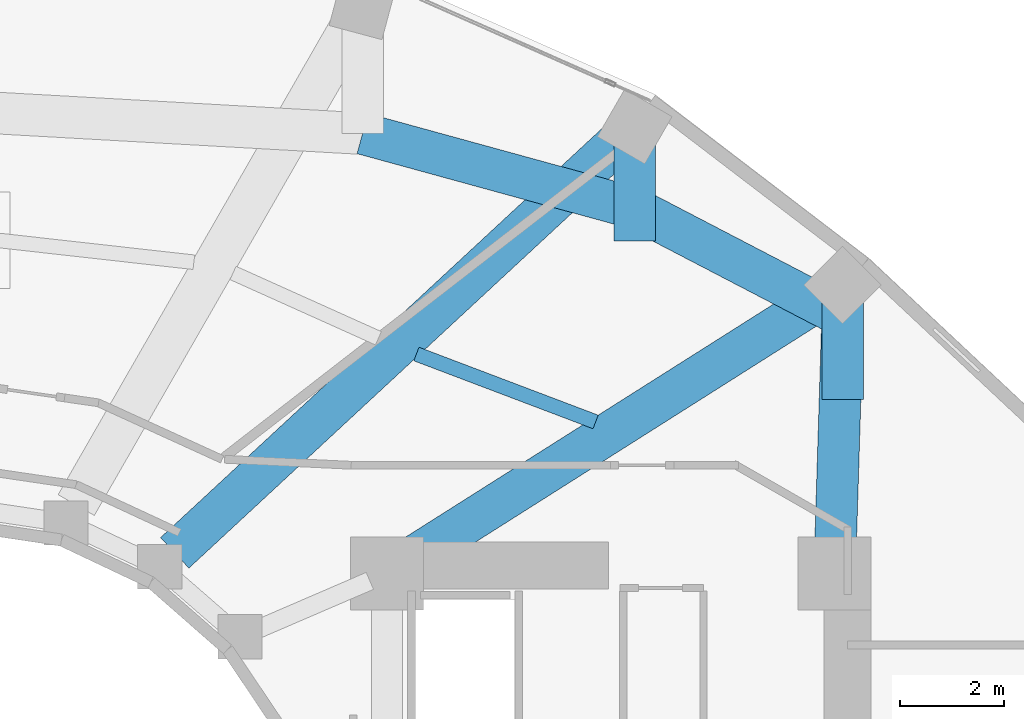
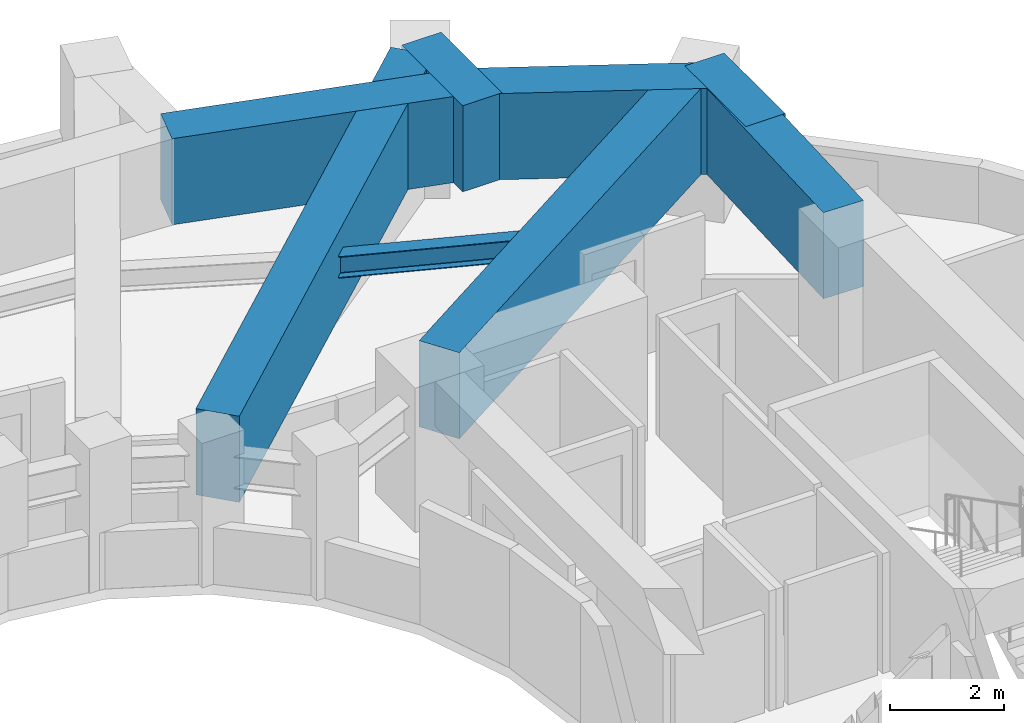
# One storey, part 5 of 16: 8 beams.
"""IFC4 building model written with IfcOpenShell, lengths in metres."""

from ifc_helpers import new_model, si_unit, direction, frame, origin, origin_2d, place, context, subcontext, project, spatial, rectangle, i_section, extrude, material, material_profile, profile_set, type_object, element, save


model = new_model("IFC4")

# Units and contexts
model_context = context("Model", 3, precision=1e-05, world=origin(), true_north=direction((0.0, 1.0)))
body_context = subcontext(model_context, "Body", "Model", "MODEL_VIEW")
ifc_project = project(units=[si_unit("LENGTHUNIT", "METRE"), si_unit("AREAUNIT", "SQUARE_METRE"), si_unit("VOLUMEUNIT", "CUBIC_METRE"), si_unit("PLANEANGLEUNIT", "RADIAN"), si_unit("MASSUNIT", "GRAM", prefix="KILO")], contexts=[model_context])

# Site, building, storey
site_placement = place(None, origin())
site = spatial("IfcSite", under=ifc_project, at=site_placement, CompositionType="ELEMENT")
building_placement = place(site_placement, origin())
building = spatial("IfcBuilding", under=site, at=building_placement, Name="Solvane Sanctuary Tower", CompositionType="ELEMENT")
storey_placement = place(building_placement, frame((0.0, 0.0, 82.5)))
storey = spatial("IfcBuildingStorey", under=building, at=storey_placement, Name="L24", CompositionType="ELEMENT", Elevation=82.5)

# Beams
ifc_material_1 = material(Name="Steel ASTM A992 Grade 50", Category="steel")
ifc_material_profile_1 = material_profile(ifc_material_1, i_section(OverallWidth=0.280029296875, OverallDepth=0.462890625, WebThickness=0.0107421875, FlangeThickness=0.017333984375, FilletRadius=0.013916015625, at=origin_2d()), Name="W18X76")
ifc_profile_set_1 = profile_set([ifc_material_profile_1], Name="Steel ASTM A992 Grade 50")
beam_type_1 = type_object("IfcBeamType", Name="Beam B-SEC-JOIST W18X76", PredefinedType="JOIST", material=ifc_profile_set_1)
beam_1_placement = place(storey_placement, frame((40.66357421875, 34.41650390625, 2.366455078125), z_axis=(0.935089219038, -0.354412404465, 0.0), x_axis=(0.354412404465, 0.935089219038, 0.0)))
element("IfcBeam", 1, at=beam_1_placement, inside=storey, type_object=beam_type_1, Name="L24 Secondary Circumferential Joist 02-01", PredefinedType="JOIST", context=body_context, shape_type="SweptSolid", body=[
    extrude(i_section(OverallWidth=0.280029296875, OverallDepth=0.462890625, WebThickness=0.0107421875, FlangeThickness=0.017333984375, FilletRadius=0.013916015625, at=origin_2d()), origin(), (0.0, 0.0, 1.0), 3.6826171875),
])
ifc_material_2 = material(Name="Concrete C70/85", Category="concrete")
ifc_material_profile_2 = material_profile(ifc_material_2, rectangle(XDim=0.800048828125, YDim=1.85009765625, at=origin_2d()), Name="RC800X1850")
ifc_profile_set_2 = profile_set([ifc_material_profile_2], Name="Concrete C70/85")
beam_type_2 = type_object("IfcBeamType", Name="Beam B-XFER-BLK RC800X1850", PredefinedType="BEAM", material=ifc_profile_set_2)
beam_2_placement = place(storey_placement, frame((40.404052734375, 30.392578125, 2.175048828125), z_axis=(0.844858725229, 0.534989471303, 0.0), x_axis=(-0.534989471303, 0.844858725229, 0.0)))
element("IfcBeam", 2, at=beam_2_placement, inside=storey, type_object=beam_type_2, Name="L24 Block-Shift Radial Transfer Girder 01A", PredefinedType="BEAM", context=body_context, shape_type="SweptSolid", body=[
    extrude(rectangle(XDim=0.800048828125, YDim=1.85009765625, at=origin_2d()), origin(), (0.0, 0.0, 1.0), 9.555419921875),
])
beam_3_placement = place(storey_placement, frame((48.85302734375, 35.69287109375, 2.175048828125), z_axis=(0.0, -1.0, 0.0), x_axis=(1.0, 0.0, 0.0)))
element("IfcBeam", 3, at=beam_3_placement, inside=storey, type_object=beam_type_2, Name="L24 Block-Shift Transfer Tie 01B", PredefinedType="BEAM", context=body_context, shape_type="SweptSolid", body=[
    extrude(rectangle(XDim=0.800048828125, YDim=1.85009765625, at=origin_2d()), origin(), (0.0, 0.0, 1.0), 2.150146484375),
])
beam_4_placement = place(storey_placement, frame((36.019775390625, 30.59521484375, 2.175048828125), z_axis=(0.733470457191, 0.679721331449, 0.0), x_axis=(-0.679721331449, 0.733470457191, 0.0)))
element("IfcBeam", 4, at=beam_4_placement, inside=storey, type_object=beam_type_2, Name="L24 Block-Shift Radial Transfer Girder 02A", PredefinedType="BEAM", context=body_context, shape_type="SweptSolid", body=[
    extrude(rectangle(XDim=0.800048828125, YDim=1.85009765625, at=origin_2d()), origin(), (0.0, 0.0, 1.0), 11.60546875),
])
beam_5_placement = place(storey_placement, frame((44.8583984375, 38.736083984375, 2.175048828125), z_axis=(0.0, -1.0, 0.0), x_axis=(1.0, 0.0, 0.0)))
element("IfcBeam", 5, at=beam_5_placement, inside=storey, type_object=beam_type_2, Name="L24 Block-Shift Transfer Tie 02B", PredefinedType="BEAM", context=body_context, shape_type="SweptSolid", body=[
    extrude(rectangle(XDim=0.800048828125, YDim=1.85009765625, at=origin_2d()), origin(), (0.0, 0.0, 1.0), 2.14990234375),
])
beam_6_placement = place(storey_placement, frame((39.62939453125, 38.652099609375, 2.175048828125), z_axis=(0.964365802426, -0.264572483661, 0.0), x_axis=(0.264572483661, 0.964365802426, 0.0)))
element("IfcBeam", 6, at=beam_6_placement, inside=storey, type_object=beam_type_2, Name="L24 Perimeter Step Transfer Ring NTC03-NTC02", PredefinedType="BEAM", context=body_context, shape_type="SweptSolid", body=[
    extrude(rectangle(XDim=0.800048828125, YDim=1.85009765625, at=origin_2d()), origin(), (0.0, 0.0, 1.0), 5.422119140625),
])
beam_7_placement = place(storey_placement, frame((44.8583984375, 37.217529296875, 2.175048828125), z_axis=(0.887022336415, -0.46172651505, 0.0), x_axis=(0.46172651505, 0.887022336415, 0.0)))
element("IfcBeam", 7, at=beam_7_placement, inside=storey, type_object=beam_type_2, Name="L24 Perimeter Step Transfer Ring NTC02-NTC01", PredefinedType="BEAM", context=body_context, shape_type="SweptSolid", body=[
    extrude(rectangle(XDim=0.800048828125, YDim=1.85009765625, at=origin_2d()), origin(), (0.0, 0.0, 1.0), 4.50341796875),
])
beam_8_placement = place(storey_placement, frame((48.85302734375, 35.13818359375, 2.175048828125), z_axis=(-0.030966851139, -0.999520412063, 0.0), x_axis=(0.999520412063, -0.030966851139, 0.0)))
element("IfcBeam", 8, at=beam_8_placement, inside=storey, type_object=beam_type_2, Name="L24 Perimeter Step Transfer Ring NTC01-CE3", PredefinedType="BEAM", context=body_context, shape_type="SweptSolid", body=[
    extrude(rectangle(XDim=0.800048828125, YDim=1.85009765625, at=origin_2d()), origin(), (0.0, 0.0, 1.0), 4.58056640625),
])

save(model, "model.ifc")
